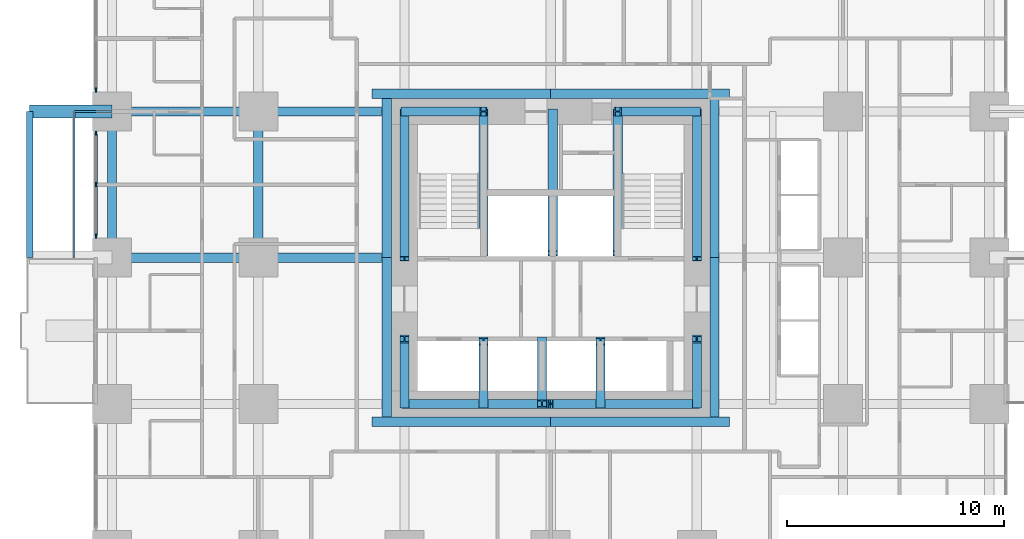
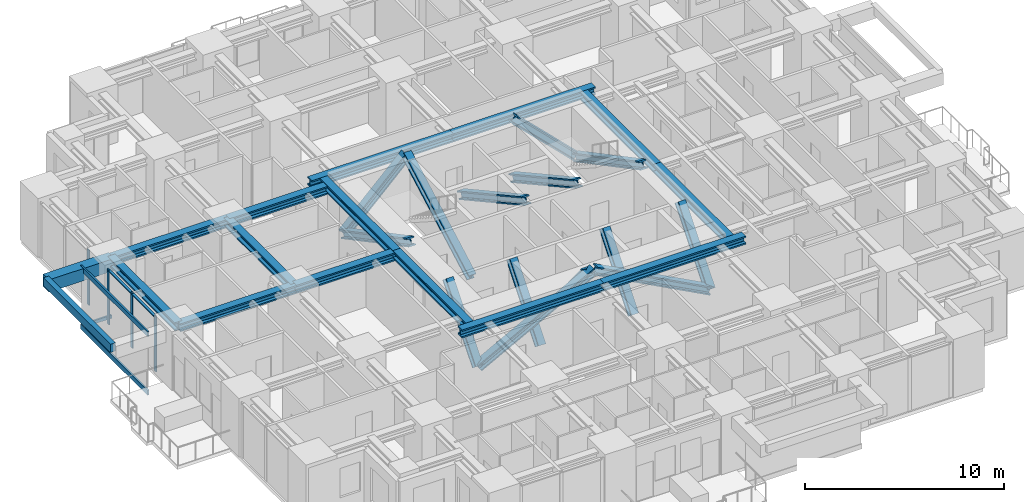
# One storey, part 3 of 14: 23 members, 16 beams, 2 elements without a shape of their own.
"""IFC4 building model written with IfcOpenShell, lengths in metres."""

from ifc_helpers import new_model, si_unit, direction, frame, origin, origin_2d, place, context, subcontext, project, spatial, rectangle, hollow_rectangle, i_section, extrude, material, material_profile, profile_set, type_object, element, aggregate, save


model = new_model("IFC4")

# Units and contexts
model_context = context("Model", 3, precision=1e-05, world=origin(), true_north=direction((0.0, 1.0)))
body_context = subcontext(model_context, "Body", "Model", "MODEL_VIEW")
ifc_project = project(units=[si_unit("LENGTHUNIT", "METRE"), si_unit("AREAUNIT", "SQUARE_METRE"), si_unit("VOLUMEUNIT", "CUBIC_METRE"), si_unit("PLANEANGLEUNIT", "RADIAN"), si_unit("MASSUNIT", "GRAM", prefix="KILO")], contexts=[model_context])

# Site, building, storey
site_placement = place(None, origin())
site = spatial("IfcSite", under=ifc_project, at=site_placement, CompositionType="ELEMENT")
building_placement = place(site_placement, origin())
building = spatial("IfcBuilding", under=site, at=building_placement, Name="Nyansa Garden Tower", CompositionType="ELEMENT")
storey_placement = place(building_placement, frame((0.0, 0.0, 68.39990234375)))
storey = spatial("IfcBuildingStorey", under=building, at=storey_placement, Name="L18", CompositionType="ELEMENT", Elevation=68.39990234375)

# Beams
ifc_material_1 = material(Name="Concrete C70/85", Category="concrete")
ifc_material_profile_1 = material_profile(ifc_material_1, rectangle(XDim=0.60009765625, YDim=0.75, at=origin_2d()), Name="RC 600x750")
ifc_profile_set_1 = profile_set([ifc_material_profile_1], Name="Concrete C70/85")
beam_type_1 = type_object("IfcBeamType", Name="Balcony cantilever beam CB1 RC 600x750", PredefinedType="BEAM", material=ifc_profile_set_1)
beam_1_placement = place(storey_placement, frame((0.0, 27.0, 2.985107421875), z_axis=(-1.0, 0.0, 0.0), x_axis=(0.0, -1.0, 0.0)))
element("IfcBeam", 1, at=beam_1_placement, inside=storey, type_object=beam_type_1, Name="Balcony cantilever beam L19", PredefinedType="BEAM", context=body_context, shape_type="SweptSolid", body=[
    extrude(rectangle(XDim=0.60009765625, YDim=0.75, at=origin_2d()), origin(), (0.0, 0.0, 1.0), 3.800048828125),
])
ifc_material_2 = material(Name="Concrete C70/85", Category="concrete")
ifc_material_profile_2 = material_profile(ifc_material_2, rectangle(XDim=0.300048828125, YDim=0.5, at=origin_2d()), Name="RC 300x500")
ifc_profile_set_2 = profile_set([ifc_material_profile_2], Name="Concrete C70/85")
beam_type_2 = type_object("IfcBeamType", Name="Balcony edge beam BE1 RC 300x500", PredefinedType="BEAM", material=ifc_profile_set_2)
beam_2_placement = place(storey_placement, frame((-3.800048828125, 20.25, 3.110107421875), z_axis=(0.0, 1.0, 0.0), x_axis=(-1.0, 0.0, 0.0)))
element("IfcBeam", 2, at=beam_2_placement, inside=storey, type_object=beam_type_2, Name="Balcony edge beam L19", PredefinedType="BEAM", context=body_context, shape_type="SweptSolid", body=[
    extrude(rectangle(XDim=0.300048828125, YDim=0.5, at=origin_2d()), origin(), (0.0, 0.0, 1.0), 6.75),
])

# Curtain wall, member
ifc_material_3 = material(Name="Black anodised aluminium, dark tinted double glazing", Category="aluminium")
curtain_wall_type = type_object("IfcCurtainWallType", Name="Inner skin curtain wall ISW-A", PredefinedType="USERDEFINED", material=ifc_material_3)
curtain_wall_1_placement = place(storey_placement, origin())
curtain_wall_1 = element("IfcCurtainWall", 3, at=curtain_wall_1_placement, inside=storey, type_object=curtain_wall_type, Name="Inner skin curtain wall L18 W", ObjectType="UNITISED CURTAIN WALL", PredefinedType="USERDEFINED")
ifc_material_4 = material(Name="Black anodised aluminium", Category="aluminium")
ifc_material_profile_3 = material_profile(ifc_material_4, rectangle(XDim=0.06494140625, YDim=0.199951171875, at=origin_2d()), Name="Mullion 200x65")
ifc_profile_set_3 = profile_set([ifc_material_profile_3], Name="Black anodised aluminium")
member_type_1 = type_object("IfcMemberType", Name="Mullion ISW-A 200x65", PredefinedType="MULLION", material=ifc_profile_set_3)
member_1_placement = place(storey_placement, frame((-0.75, 28.0, 0.0), z_axis=(0.0, 0.0, 1.0), x_axis=(1.0, 0.0, 0.0)))
member_1 = element("IfcMember", 4, at=member_1_placement, type_object=member_type_1, Name="ISW-A mullion 3", PredefinedType="MULLION", context=body_context, shape_type="SweptSolid", body=[
    extrude(rectangle(XDim=0.06494140625, YDim=0.199951171875, at=origin_2d()), origin(), (0.0, 0.0, 1.0), 3.375),
])
aggregate(curtain_wall_1, [member_1])

# Curtain wall, members
curtain_wall_2_placement = place(storey_placement, origin())
curtain_wall_2 = element("IfcCurtainWall", 5, at=curtain_wall_2_placement, inside=storey, type_object=curtain_wall_type, Name="Inner skin curtain wall L18 W", ObjectType="UNITISED CURTAIN WALL", PredefinedType="USERDEFINED")
member_2_placement = place(storey_placement, frame((-0.75, 26.0, 0.0), z_axis=(0.0, 0.0, 1.0), x_axis=(1.0, 0.0, 0.0)))
member_2 = element("IfcMember", 6, at=member_2_placement, type_object=member_type_1, Name="ISW-A mullion 1", PredefinedType="MULLION", context=body_context, shape_type="SweptSolid", body=[
    extrude(rectangle(XDim=0.06494140625, YDim=0.199951171875, at=origin_2d()), origin(), (0.0, 0.0, 1.0), 3.375),
])
member_3_placement = place(storey_placement, frame((-0.75, 23.625, 0.0), z_axis=(0.0, 0.0, 1.0), x_axis=(1.0, 0.0, 0.0)))
member_3 = element("IfcMember", 7, at=member_3_placement, type_object=member_type_1, Name="ISW-A mullion 2", PredefinedType="MULLION", context=body_context, shape_type="SweptSolid", body=[
    extrude(rectangle(XDim=0.06494140625, YDim=0.199951171875, at=origin_2d()), origin(), (0.0, 0.0, 1.0), 3.375),
])
member_4_placement = place(storey_placement, frame((-0.75, 21.25, 0.0), z_axis=(0.0, 0.0, 1.0), x_axis=(1.0, 0.0, 0.0)))
member_4 = element("IfcMember", 8, at=member_4_placement, type_object=member_type_1, Name="ISW-A mullion 3", PredefinedType="MULLION", context=body_context, shape_type="SweptSolid", body=[
    extrude(rectangle(XDim=0.06494140625, YDim=0.199951171875, at=origin_2d()), origin(), (0.0, 0.0, 1.0), 3.375),
])

# Members
ifc_material_5 = material(Name="Steel S355, black powder coated", Category="steel")
ifc_material_profile_4 = material_profile(ifc_material_5, hollow_rectangle(XDim=0.10009765625, YDim=0.199951171875, WallThickness=0.008056640625, at=origin_2d()), Name="RHS 200x100x8")
ifc_profile_set_4 = profile_set([ifc_material_profile_4], Name="Steel S355, black powder coated")
member_type_2 = type_object("IfcMemberType", Name="Outer skin bracket arm RHS 200x100x8", PredefinedType="USERDEFINED", material=ifc_profile_set_4)
member_5_placement = place(storey_placement, frame((0.0, 27.0, -0.375), z_axis=(-1.0, 0.0, 0.0), x_axis=(0.0, -1.0, 0.0)))
element("IfcMember", 9, at=member_5_placement, inside=storey, type_object=member_type_2, Name="Outer skin bracket arm", ObjectType="OUTER SKIN BRACKET", PredefinedType="USERDEFINED", context=body_context, shape_type="SweptSolid", body=[
    extrude(hollow_rectangle(XDim=0.10009765625, YDim=0.199951171875, WallThickness=0.008056640625, at=origin_2d()), origin(), (0.0, 0.0, 1.0), 1.75),
])
ifc_material_6 = material(Name="Steel S355, black powder coated", Category="steel")
ifc_material_profile_5 = material_profile(ifc_material_6, hollow_rectangle(XDim=0.10009765625, YDim=0.300048828125, WallThickness=0.010009765625, at=origin_2d()), Name="RHS 300x100x10")
ifc_profile_set_5 = profile_set([ifc_material_profile_5], Name="Steel S355, black powder coated")
member_type_3 = type_object("IfcMemberType", Name="Outer skin rail RHS 300x100x10", PredefinedType="USERDEFINED", material=ifc_profile_set_5)
for number, where, z_axis, x_axis, name in (
    (10, (-1.75, 20.25, -0.375), (0.0, 1.0, 0.0), (-1.0, 0.0, 0.0), "Outer skin rail L18"),
    (11, (-1.75, 20.25, 3.22509765625), (0.0, 1.0, 0.0), (-1.0, 0.0, 0.0), "Outer skin rail L18 head"),
):
    element("IfcMember", number, at=place(storey_placement, frame(where, z_axis=z_axis, x_axis=x_axis)), inside=storey, type_object=member_type_3, Name=name, ObjectType="OUTER SKIN RAIL", PredefinedType="USERDEFINED", context=body_context, shape_type="SweptSolid", body=[
        extrude(hollow_rectangle(XDim=0.10009765625, YDim=0.300048828125, WallThickness=0.010009765625, at=origin_2d()), origin(), (0.0, 0.0, 1.0), 6.75),
    ])
ifc_material_7 = material(Name="Steel S355", Category="steel")
ifc_material_profile_6 = material_profile(ifc_material_7, i_section(OverallWidth=0.424072265625, OverallDepth=0.47412109375, WebThickness=0.047607421875, FlangeThickness=0.076904296875, FilletRadius=0.014892578125, at=origin_2d()), Name="HD 400x634")
ifc_profile_set_6 = profile_set([ifc_material_profile_6], Name="Steel S355")
member_type_4 = type_object("IfcMemberType", Name="Perimeter brace HD 400x634", PredefinedType="BRACE", material=ifc_profile_set_6)
for number, where, z_axis, x_axis, name in (
    (12, (13.5, 13.5, 0.0), (0.882347640589, 0.0, 0.47059817376), (0.0, 1.0, 0.0), "Core brace CS1 L18"),
    (13, (27.0, 13.5, 0.0), (-0.882347640589, 0.0, 0.47059817376), (0.0, -1.0, 0.0), "Core brace CS2 L18"),
):
    element("IfcMember", number, at=place(storey_placement, frame(where, z_axis=z_axis, x_axis=x_axis)), inside=storey, type_object=member_type_4, Name=name, PredefinedType="BRACE", context=body_context, shape_type="SweptSolid", body=[
        extrude(i_section(OverallWidth=0.424072265625, OverallDepth=0.47412109375, WebThickness=0.047607421875, FlangeThickness=0.076904296875, FilletRadius=0.014892578125, at=origin_2d()), origin(), (0.0, 0.0, 1.0), 7.650146484375),
    ])
for number, where, z_axis, x_axis, name in (
    (14, (13.5, 27.0, 0.0), (0.711947531702, 0.0, 0.702232662373), (0.0, 1.0, 0.0), "Core brace CN3 L18"),
    (15, (27.0, 27.0, 0.0), (-0.711947531702, 0.0, 0.702232662373), (0.0, -1.0, 0.0), "Core brace CN4 L18"),
):
    element("IfcMember", number, at=place(storey_placement, frame(where, z_axis=z_axis, x_axis=x_axis)), inside=storey, type_object=member_type_4, Name=name, PredefinedType="BRACE", context=body_context, shape_type="SweptSolid", body=[
        extrude(i_section(OverallWidth=0.424072265625, OverallDepth=0.47412109375, WebThickness=0.047607421875, FlangeThickness=0.076904296875, FilletRadius=0.014892578125, at=origin_2d()), origin(), (0.0, 0.0, 1.0), 5.126708984375),
    ])
member_6_placement = place(storey_placement, frame((13.5, 13.5, 0.0), z_axis=(0.0, 0.640174150918, 0.768229820104), x_axis=(-1.0, 0.0, 0.0)))
element("IfcMember", 16, at=member_6_placement, inside=storey, type_object=member_type_4, Name="Core brace CW5 L18", PredefinedType="BRACE", context=body_context, shape_type="SweptSolid", body=[
    extrude(i_section(OverallWidth=0.424072265625, OverallDepth=0.47412109375, WebThickness=0.047607421875, FlangeThickness=0.076904296875, FilletRadius=0.014892578125, at=origin_2d()), origin(), (0.0, 0.0, 1.0), 4.686279296875),
])
member_7_placement = place(storey_placement, frame((13.5, 27.0, 0.0), z_axis=(0.0, -0.883784057226, 0.467895009796), x_axis=(1.0, 0.0, 0.0)))
element("IfcMember", 17, at=member_7_placement, inside=storey, type_object=member_type_4, Name="Core brace CW6 L18", PredefinedType="BRACE", context=body_context, shape_type="SweptSolid", body=[
    extrude(i_section(OverallWidth=0.424072265625, OverallDepth=0.47412109375, WebThickness=0.047607421875, FlangeThickness=0.076904296875, FilletRadius=0.014892578125, at=origin_2d()), origin(), (0.0, 0.0, 1.0), 7.6943359375),
])
member_8_placement = place(storey_placement, frame((27.0, 13.5, 0.0), z_axis=(0.0, 0.640174150918, 0.768229820104), x_axis=(-1.0, 0.0, 0.0)))
element("IfcMember", 18, at=member_8_placement, inside=storey, type_object=member_type_4, Name="Core brace CE7 L18", PredefinedType="BRACE", context=body_context, shape_type="SweptSolid", body=[
    extrude(i_section(OverallWidth=0.424072265625, OverallDepth=0.47412109375, WebThickness=0.047607421875, FlangeThickness=0.076904296875, FilletRadius=0.014892578125, at=origin_2d()), origin(), (0.0, 0.0, 1.0), 4.686279296875),
])
member_9_placement = place(storey_placement, frame((27.0, 27.0, 0.0), z_axis=(0.0, -0.883784057226, 0.467895009796), x_axis=(1.0, 0.0, 0.0)))
element("IfcMember", 19, at=member_9_placement, inside=storey, type_object=member_type_4, Name="Core brace CE8 L18", PredefinedType="BRACE", context=body_context, shape_type="SweptSolid", body=[
    extrude(i_section(OverallWidth=0.424072265625, OverallDepth=0.47412109375, WebThickness=0.047607421875, FlangeThickness=0.076904296875, FilletRadius=0.014892578125, at=origin_2d()), origin(), (0.0, 0.0, 1.0), 7.6943359375),
])
for number, where, z_axis, x_axis, name in (
    (20, (17.14990234375, 20.449951171875, 0.0), (0.0, 0.876353113771, 0.481669201822), (-1.0, 0.0, 0.0), "Core brace CWS9 L18"),
    (21, (23.35009765625, 27.0, 0.0), (0.0, -0.876353113771, 0.481669201822), (1.0, 0.0, 0.0), "Core brace CES10 L18"),
):
    element("IfcMember", number, at=place(storey_placement, frame(where, z_axis=z_axis, x_axis=x_axis)), inside=storey, type_object=member_type_4, Name=name, PredefinedType="BRACE", context=body_context, shape_type="SweptSolid", body=[
        extrude(i_section(OverallWidth=0.424072265625, OverallDepth=0.47412109375, WebThickness=0.047607421875, FlangeThickness=0.076904296875, FilletRadius=0.014892578125, at=origin_2d()), origin(), (0.0, 0.0, 1.0), 7.47412109375),
    ])
for number, where, z_axis, x_axis, name in (
    (22, (17.14990234375, 13.5, 0.0), (0.0, 0.627306405886, 0.778772542617), (-1.0, 0.0, 0.0), "Core brace CSW11 L18"),
    (23, (19.85009765625, 16.39990234375, 0.0), (0.0, -0.627306405886, 0.778772542617), (1.0, 0.0, 0.0), "Core brace CSW12 L18"),
    (24, (22.550048828125, 13.5, 0.0), (0.0, 0.627306405886, 0.778772542617), (-1.0, 0.0, 0.0), "Core brace CSW13 L18"),
):
    element("IfcMember", number, at=place(storey_placement, frame(where, z_axis=z_axis, x_axis=x_axis)), inside=storey, type_object=member_type_4, Name=name, PredefinedType="BRACE", context=body_context, shape_type="SweptSolid", body=[
        extrude(i_section(OverallWidth=0.424072265625, OverallDepth=0.47412109375, WebThickness=0.047607421875, FlangeThickness=0.076904296875, FilletRadius=0.014892578125, at=origin_2d()), origin(), (0.0, 0.0, 1.0), 4.622802734375),
    ])
member_10_placement = place(storey_placement, frame((20.35009765625, 27.0, 0.0), z_axis=(0.0, -0.876353113771, 0.481669201822), x_axis=(1.0, 0.0, 0.0)))
element("IfcMember", 25, at=member_10_placement, inside=storey, type_object=member_type_4, Name="Core brace CNW14 L18", PredefinedType="BRACE", context=body_context, shape_type="SweptSolid", body=[
    extrude(i_section(OverallWidth=0.424072265625, OverallDepth=0.47412109375, WebThickness=0.047607421875, FlangeThickness=0.076904296875, FilletRadius=0.014892578125, at=origin_2d()), origin(), (0.0, 0.0, 1.0), 7.47412109375),
])

# Beams
ifc_material_8 = material(Name="Steel S355", Category="steel")
ifc_material_profile_7 = material_profile(ifc_material_8, i_section(OverallWidth=0.431884765625, OverallDepth=0.498046875, WebThickness=0.0556640625, FlangeThickness=0.0888671875, FilletRadius=0.014892578125, at=origin_2d()), Name="HD 400x744")
ifc_profile_set_7 = profile_set([ifc_material_profile_7], Name="Steel S355")
beam_type_3 = type_object("IfcBeamType", Name="Steel beam SBA2-744 HD 400x744", PredefinedType="BEAM", material=ifc_profile_set_7)
for number, where, z_axis, x_axis, name in (
    (26, (0.0, 20.25, 3.1259765625), (1.0, 0.0, 0.0), (0.0, 1.0, 0.0), "Steel beam 2/G-3/G L19"),
    (27, (0.0, 27.0, 3.1259765625), (1.0, 0.0, 0.0), (0.0, 1.0, 0.0), "Steel beam 2/H-3/H L19"),
    (28, (6.75, 20.25, 3.1259765625), (0.0, 1.0, 0.0), (-1.0, 0.0, 0.0), "Steel beam 3/G-3/H L19"),
):
    element("IfcBeam", number, at=place(storey_placement, frame(where, z_axis=z_axis, x_axis=x_axis)), inside=storey, type_object=beam_type_3, Name=name, PredefinedType="BEAM", context=body_context, shape_type="SweptSolid", body=[
        extrude(i_section(OverallWidth=0.431884765625, OverallDepth=0.498046875, WebThickness=0.0556640625, FlangeThickness=0.0888671875, FilletRadius=0.014892578125, at=origin_2d()), origin(), (0.0, 0.0, 1.0), 6.75),
    ])
for number, where, z_axis, x_axis, name in (
    (29, (6.75, 20.25, 3.1259765625), (1.0, 0.0, 0.0), (0.0, 1.0, 0.0), "Steel beam 3/G-12.450/G L19"),
    (30, (6.75, 27.0, 3.1259765625), (1.0, 0.0, 0.0), (0.0, 1.0, 0.0), "Steel beam 3/H-12.450/H L19"),
):
    element("IfcBeam", number, at=place(storey_placement, frame(where, z_axis=z_axis, x_axis=x_axis)), inside=storey, type_object=beam_type_3, Name=name, PredefinedType="BEAM", context=body_context, shape_type="SweptSolid", body=[
        extrude(i_section(OverallWidth=0.431884765625, OverallDepth=0.498046875, WebThickness=0.0556640625, FlangeThickness=0.0888671875, FilletRadius=0.014892578125, at=origin_2d()), origin(), (0.0, 0.0, 1.0), 5.699951171875),
    ])
ifc_material_9 = material(Name="Steel S355", Category="steel")
ifc_material_profile_8 = material_profile(ifc_material_9, i_section(OverallWidth=0.431884765625, OverallDepth=0.498046875, WebThickness=0.0556640625, FlangeThickness=0.0888671875, FilletRadius=0.014892578125, at=origin_2d()), Name="HD 400x744")
ifc_profile_set_8 = profile_set([ifc_material_profile_8], Name="Steel S355")
beam_type_4 = type_object("IfcBeamType", Name="Steel beam SEBA-744 HD 400x744", PredefinedType="BEAM", material=ifc_profile_set_8)
beam_3_placement = place(storey_placement, frame((0.0, 20.25, 3.1259765625), z_axis=(0.0, 1.0, 0.0), x_axis=(-1.0, 0.0, 0.0)))
element("IfcBeam", 31, at=beam_3_placement, inside=storey, type_object=beam_type_4, Name="Steel edge beam 2/G-2/H L19", PredefinedType="BEAM", context=body_context, shape_type="SweptSolid", body=[
    extrude(i_section(OverallWidth=0.431884765625, OverallDepth=0.498046875, WebThickness=0.0556640625, FlangeThickness=0.0888671875, FilletRadius=0.014892578125, at=origin_2d()), origin(), (0.0, 0.0, 1.0), 6.75),
])
ifc_material_10 = material(Name="Steel S355", Category="steel")
ifc_material_profile_9 = material_profile(ifc_material_10, i_section(OverallWidth=0.431884765625, OverallDepth=0.498046875, WebThickness=0.0556640625, FlangeThickness=0.0888671875, FilletRadius=0.014892578125, at=origin_2d()), Name="HD 400x744")
ifc_profile_set_9 = profile_set([ifc_material_profile_9], Name="Steel S355")
beam_type_5 = type_object("IfcBeamType", Name="Steel beam SLB1-744 HD 400x744", PredefinedType="BEAM", material=ifc_profile_set_9)
for number, where, z_axis, x_axis, name in (
    (32, (12.0, 12.68408203125, 3.1259765625), (1.0, 0.0, 0.0), (0.0, 1.0, 0.0), "Steel core ledger beam S.1 L19"),
    (33, (20.25, 12.68408203125, 3.1259765625), (1.0, 0.0, 0.0), (0.0, 1.0, 0.0), "Steel core ledger beam S.2 L19"),
):
    element("IfcBeam", number, at=place(storey_placement, frame(where, z_axis=z_axis, x_axis=x_axis)), inside=storey, type_object=beam_type_5, Name=name, PredefinedType="BEAM", context=body_context, shape_type="SweptSolid", body=[
        extrude(i_section(OverallWidth=0.431884765625, OverallDepth=0.498046875, WebThickness=0.0556640625, FlangeThickness=0.0888671875, FilletRadius=0.014892578125, at=origin_2d()), origin(), (0.0, 0.0, 1.0), 8.25),
    ])
for number, where, z_axis, x_axis, name in (
    (34, (27.81591796875, 12.89990234375, 3.1259765625), (0.0, 1.0, 0.0), (-1.0, 0.0, 0.0), "Steel core ledger beam E.1 L19"),
    (35, (27.81591796875, 20.25, 3.1259765625), (0.0, 1.0, 0.0), (-1.0, 0.0, 0.0), "Steel core ledger beam E.2 L19"),
):
    element("IfcBeam", number, at=place(storey_placement, frame(where, z_axis=z_axis, x_axis=x_axis)), inside=storey, type_object=beam_type_5, Name=name, PredefinedType="BEAM", context=body_context, shape_type="SweptSolid", body=[
        extrude(i_section(OverallWidth=0.431884765625, OverallDepth=0.498046875, WebThickness=0.0556640625, FlangeThickness=0.0888671875, FilletRadius=0.014892578125, at=origin_2d()), origin(), (0.0, 0.0, 1.0), 7.35009765625),
    ])
for number, where, z_axis, x_axis, name in (
    (36, (28.5, 27.81591796875, 3.1259765625), (-1.0, 0.0, 0.0), (0.0, -1.0, 0.0), "Steel core ledger beam N.1 L19"),
    (37, (20.25, 27.81591796875, 3.1259765625), (-1.0, 0.0, 0.0), (0.0, -1.0, 0.0), "Steel core ledger beam N.2 L19"),
):
    element("IfcBeam", number, at=place(storey_placement, frame(where, z_axis=z_axis, x_axis=x_axis)), inside=storey, type_object=beam_type_5, Name=name, PredefinedType="BEAM", context=body_context, shape_type="SweptSolid", body=[
        extrude(i_section(OverallWidth=0.431884765625, OverallDepth=0.498046875, WebThickness=0.0556640625, FlangeThickness=0.0888671875, FilletRadius=0.014892578125, at=origin_2d()), origin(), (0.0, 0.0, 1.0), 8.25),
    ])
for number, where, z_axis, x_axis, name in (
    (38, (12.68408203125, 27.60009765625, 3.1259765625), (0.0, -1.0, 0.0), (1.0, 0.0, 0.0), "Steel core ledger beam W.1 L19"),
    (39, (12.68408203125, 20.25, 3.1259765625), (0.0, -1.0, 0.0), (1.0, 0.0, 0.0), "Steel core ledger beam W.2 L19"),
):
    element("IfcBeam", number, at=place(storey_placement, frame(where, z_axis=z_axis, x_axis=x_axis)), inside=storey, type_object=beam_type_5, Name=name, PredefinedType="BEAM", context=body_context, shape_type="SweptSolid", body=[
        extrude(i_section(OverallWidth=0.431884765625, OverallDepth=0.498046875, WebThickness=0.0556640625, FlangeThickness=0.0888671875, FilletRadius=0.014892578125, at=origin_2d()), origin(), (0.0, 0.0, 1.0), 7.35009765625),
    ])

# Member
ifc_material_11 = material(Name="Black anodised aluminium", Category="aluminium")
ifc_material_profile_10 = material_profile(ifc_material_11, rectangle(XDim=0.14990234375, YDim=0.06494140625, at=origin_2d()), Name="Transom 150x65")
ifc_profile_set_10 = profile_set([ifc_material_profile_10], Name="Black anodised aluminium")
member_type_5 = type_object("IfcMemberType", Name="Transom ISW-A 150x65", PredefinedType="USERDEFINED", material=ifc_profile_set_10)
member_11_placement = place(storey_placement, frame((-0.75, 25.967529296875, 3.342529296875), z_axis=(0.0, -1.0, 0.0), x_axis=(1.0, 0.0, 0.0)))
member_11 = element("IfcMember", 40, at=member_11_placement, type_object=member_type_5, Name="ISW-A transom 1", ObjectType="TRANSOM", PredefinedType="USERDEFINED", context=body_context, shape_type="SweptSolid", body=[
    extrude(rectangle(XDim=0.14990234375, YDim=0.06494140625, at=origin_2d()), origin(), (0.0, 0.0, 1.0), 2.31005859375),
])

member_12_placement = place(storey_placement, frame((-0.75, 23.592529296875, 3.342529296875), z_axis=(0.0, -1.0, 0.0), x_axis=(1.0, 0.0, 0.0)))
member_12 = element("IfcMember", 41, at=member_12_placement, type_object=member_type_5, Name="ISW-A transom 2", ObjectType="TRANSOM", PredefinedType="USERDEFINED", context=body_context, shape_type="SweptSolid", body=[
    extrude(rectangle(XDim=0.14990234375, YDim=0.06494140625, at=origin_2d()), origin(), (0.0, 0.0, 1.0), 2.31005859375),
])

aggregate(curtain_wall_2, [member_2, member_3, member_4, member_11, member_12])

save(model, "model.ifc")
